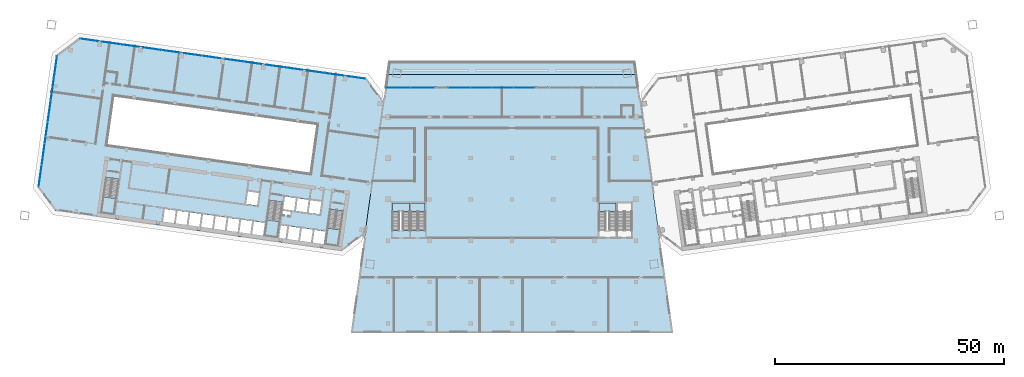
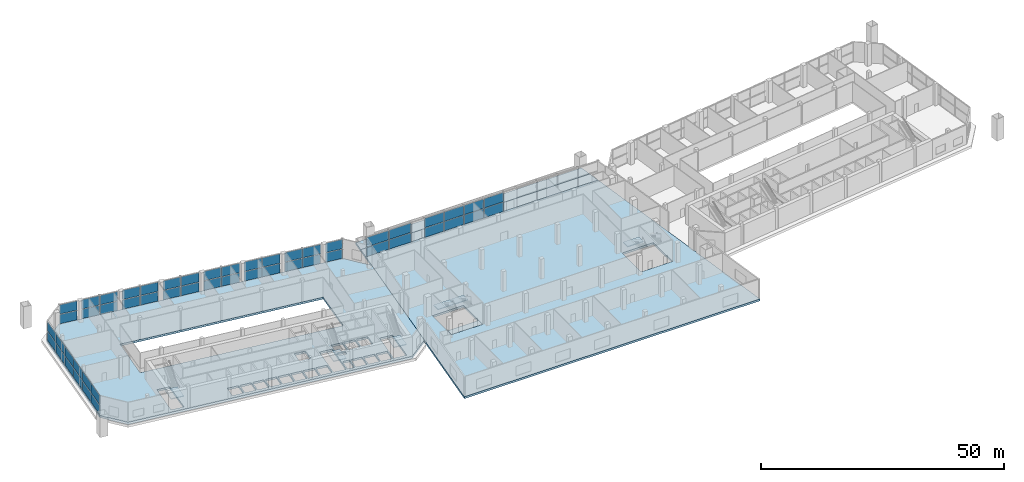
# One storey, part 8 of 23: 52 plates, 11 slabs, 10 elements without a shape of their own.
"""IFC4 building model written with IfcOpenShell, lengths in metres."""

import ifcopenshell
import ifcopenshell.guid

model = None  # the IFC model being written
_history = None  # IfcOwnerHistory: only IFC2X3 demands one
_inside = {}  # id of a spatial element -> (the spatial element, [elements in it])
_under = {}  # id of a project, library or spatial element -> (it, [spatial elements below it])
_declared = {}  # id of a project -> (the project, [libraries it declares])
_typed = {}  # id of a type object -> (the type object, [elements of that type])
_made_of = {}  # id of a material, layer set ... -> (it, [elements and type objects made of it])


def new_model(schema):
    """Start an empty IFC model of exactly this schema.

    Asked for "IFC4X3", IfcOpenShell would pick the latest addendum, in which some entities
    have other attributes; the version numbers below select the first issue.
    IFC2X3 requires an IfcOwnerHistory on every rooted entity: one is made here for all.
    """
    global model, _history
    if schema == "IFC4X3":
        model = ifcopenshell.file(schema_version=(4, 3, 0, 0))
    else:
        model = ifcopenshell.file(schema=schema)
    _inside.clear()
    _under.clear()
    _declared.clear()
    _typed.clear()
    _made_of.clear()
    _history = None
    if model.schema == "IFC2X3":
        org = make("IfcOrganization", Name="unknown")
        user = make(
            "IfcPersonAndOrganization",
            ThePerson=make("IfcPerson", FamilyName="unknown"),
            TheOrganization=org,
        )
        app = make(
            "IfcApplication",
            ApplicationDeveloper=org,
            Version="unknown",
            ApplicationFullName="unknown",
            ApplicationIdentifier="unknown",
        )
        _history = make(
            "IfcOwnerHistory",
            OwningUser=user,
            OwningApplication=app,
            ChangeAction="ADDED",
            CreationDate=0,
        )
    return model


def make(cls, **values):
    """One entity of the class cls with the attributes given. An attribute that is None is left unset."""
    return model.create_entity(
        cls, **{name: value for name, value in values.items() if value is not None}
    )


def rooted(cls, **values):
    """An entity with a GlobalId (a new one), such as an element, a storey or a relation."""
    return make(cls, GlobalId=ifcopenshell.guid.new(), OwnerHistory=_history, **values)


def si_unit(unit_type, name, prefix=None):
    """IfcSIUnit, for example si_unit("LENGTHUNIT", "METRE", prefix="MILLI")."""
    return make("IfcSIUnit", UnitType=unit_type, Prefix=prefix, Name=name)


def assignment(units):
    """IfcUnitAssignment: the units of a project."""
    return None if units is None else make("IfcUnitAssignment", Units=units)


def point(xyz):
    """IfcCartesianPoint."""
    return None if xyz is None else make("IfcCartesianPoint", Coordinates=xyz)


def direction(xyz):
    """IfcDirection."""
    return None if xyz is None else make("IfcDirection", DirectionRatios=xyz)


def frame(location, z_axis=None, x_axis=None):
    """IfcAxis2Placement3D, a coordinate frame: its origin and axes. An axis left out is left unset."""
    return make(
        "IfcAxis2Placement3D",
        Location=point(location),
        Axis=direction(z_axis),
        RefDirection=direction(x_axis),
    )


def frame_2d(location, x_axis=None):
    """IfcAxis2Placement2D, a coordinate frame in the plane: its origin and x axis."""
    return make(
        "IfcAxis2Placement2D", Location=point(location), RefDirection=direction(x_axis)
    )


def origin():
    """The frame at (0, 0, 0) with its axes left unset."""
    return frame((0.0, 0.0, 0.0))


def origin_2d():
    """The frame at (0, 0) in the plane with its x axis left unset."""
    return frame_2d((0.0, 0.0))


def place(relative_to, where):
    """IfcLocalPlacement: puts the frame where relative to a parent placement (None: the world)."""
    return make(
        "IfcLocalPlacement", PlacementRelTo=relative_to, RelativePlacement=where
    )


def context(
    kind, dimensions, precision=None, world=None, true_north=None, identifier=None
):
    """IfcGeometricRepresentationContext, for example the 3D "Model" context."""
    return make(
        "IfcGeometricRepresentationContext",
        ContextIdentifier=identifier,
        ContextType=kind,
        CoordinateSpaceDimension=dimensions,
        Precision=precision,
        WorldCoordinateSystem=world,
        TrueNorth=true_north,
    )


def subcontext(parent, identifier, kind, view, scale=None):
    """IfcGeometricRepresentationSubContext, for example "Body" below "Model"."""
    return make(
        "IfcGeometricRepresentationSubContext",
        ContextIdentifier=identifier,
        ContextType=kind,
        ParentContext=parent,
        TargetScale=scale,
        TargetView=view,
    )


def project(units=None, contexts=None):
    """IfcProject with its units and contexts."""
    return rooted(
        "IfcProject",
        Name="project",
        RepresentationContexts=contexts,
        UnitsInContext=assignment(units),
    )


def spatial(cls, under=None, at=None, **own):
    """A site, building, storey or space (cls), placed at a placement, below another one or the project."""
    s = rooted(cls, ObjectPlacement=at, **own)
    if under is not None:
        _under.setdefault(under.id(), (under, []))[1].append(s)
    return s


def polyline(points):
    """IfcPolyline through the points."""
    return make("IfcPolyline", Points=[point(p) for p in points])


def profile(cls, at=None, kind="AREA", **sizes):
    """A parametric profile (cls). Its sizes go by their IFC names, for example OverallWidth=200.0."""
    return make(cls, ProfileType=kind, Position=at, **sizes)


def rectangle(**sizes):
    """IfcRectangleProfileDef."""
    return profile("IfcRectangleProfileDef", **sizes)


def outline(outer, holes=None, kind="AREA"):
    """IfcArbitraryClosedProfileDef: a profile drawn as a closed curve; with holes, ...WithVoids."""
    if holes is None:
        return make("IfcArbitraryClosedProfileDef", ProfileType=kind, OuterCurve=outer)
    return make(
        "IfcArbitraryProfileDefWithVoids",
        ProfileType=kind,
        OuterCurve=outer,
        InnerCurves=holes,
    )


def extrude(swept, where, along, depth):
    """IfcExtrudedAreaSolid: the profile swept, set in the frame where, extruded along a direction by depth."""
    return make(
        "IfcExtrudedAreaSolid",
        SweptArea=swept,
        Position=where,
        ExtrudedDirection=direction(along),
        Depth=depth,
    )


def shape(context_of_items, identifier, shape_type, items):
    """IfcShapeRepresentation: the items that make up one representation, for example the "Body"."""
    return make(
        "IfcShapeRepresentation",
        ContextOfItems=context_of_items,
        RepresentationIdentifier=identifier,
        RepresentationType=shape_type,
        Items=items,
    )


def material(Name=None, Category=None):
    """IfcMaterial."""
    return make("IfcMaterial", Name=Name, Category=Category)


def layer(
    of_material, thickness, ventilated=None, Name=None, Category=None, Priority=None
):
    """IfcMaterialLayer: one layer of a wall or slab, of a material (None: an air gap)."""
    return make(
        "IfcMaterialLayer",
        Material=of_material,
        LayerThickness=thickness,
        IsVentilated=ventilated,
        Name=Name,
        Category=Category,
        Priority=Priority,
    )


def layer_set(layers, Name=None):
    """IfcMaterialLayerSet."""
    return make("IfcMaterialLayerSet", MaterialLayers=layers, LayerSetName=Name)


def made_of(thing, what):
    """Note that an element or type object is made of a material, layer set ...; save() writes the relation."""
    if what is not None:
        _made_of.setdefault(what.id(), (what, []))[1].append(thing)
    return thing


def type_object(cls, material=None, **own):
    """A type object (cls), such as IfcWallType, which elements share."""
    return made_of(rooted(cls, **own), material)


def element(
    cls,
    number,
    at=None,
    inside=None,
    cuts=None,
    type_object=None,
    material=None,
    context=None,
    identifier="Body",
    shape_type=None,
    held_by="IfcProductDefinitionShape",
    body=None,
    shapes=None,
    **own,
):
    """One element of the class cls, such as IfcWall. Its Tag is "e" and its number.

    at: its placement. inside: the storey or other place that contains it. cuts: it is an
    opening in that element (IfcRelVoidsElement). A single representation is given by context,
    identifier, shape_type and body (its items); several are given by shapes. held_by: the class
    of the entity that holds the representations. save() writes the other relations.
    """
    e = rooted(cls, Tag="e%d" % number, ObjectPlacement=at, **own)
    if body is not None:
        shapes = [shape(context, identifier, shape_type, body)]
    if shapes is not None:
        e.Representation = make(held_by, Representations=shapes)
    if inside is not None:
        _inside.setdefault(inside.id(), (inside, []))[1].append(e)
    if cuts is not None:
        rooted(
            "IfcRelVoidsElement", RelatingBuildingElement=cuts, RelatedOpeningElement=e
        )
    if type_object is not None:
        _typed.setdefault(type_object.id(), (type_object, []))[1].append(e)
    return made_of(e, material)


def aggregate(whole, parts):
    """IfcRelAggregates: a whole, such as a stair, and the parts it consists of."""
    return rooted("IfcRelAggregates", RelatingObject=whole, RelatedObjects=parts)


def save(model, path):
    """Write the relations noted so far, then the file.

    IfcRelAggregates (storeys below a building ...), IfcRelContainedInSpatialStructure (elements
    in a storey), IfcRelDefinesByType, IfcRelAssociatesMaterial and IfcRelDeclares: one each for
    every whole, place, type object, material and project.
    """
    for whole, parts in _under.values():
        aggregate(whole, parts)
    for where, things in _inside.values():
        rooted(
            "IfcRelContainedInSpatialStructure",
            RelatedElements=things,
            RelatingStructure=where,
        )
    for kind, things in _typed.values():
        rooted("IfcRelDefinesByType", RelatedObjects=things, RelatingType=kind)
    for what, things in _made_of.values():
        rooted("IfcRelAssociatesMaterial", RelatedObjects=things, RelatingMaterial=what)
    for by, libraries in _declared.values():
        rooted("IfcRelDeclares", RelatingContext=by, RelatedDefinitions=libraries)
    model.write(path)


model = new_model("IFC4")

# Units and contexts
model_context = context("Model", 3, precision=1e-05, world=origin(), true_north=direction((0.0, 1.0)))
body_context = subcontext(model_context, "Body", "Model", "MODEL_VIEW")
ifc_project = project(units=[si_unit("LENGTHUNIT", "METRE"), si_unit("AREAUNIT", "SQUARE_METRE"), si_unit("VOLUMEUNIT", "CUBIC_METRE"), si_unit("PLANEANGLEUNIT", "RADIAN"), si_unit("MASSUNIT", "GRAM", prefix="KILO")], contexts=[model_context])

# Site, building, storey
site_placement = place(None, origin())
site = spatial("IfcSite", under=ifc_project, at=site_placement, CompositionType="ELEMENT")
building_placement = place(site_placement, origin())
building = spatial("IfcBuilding", under=site, at=building_placement, Name="Mirante Cascada Hotel Towers", CompositionType="ELEMENT")
storey_placement = place(building_placement, frame((0.0, 0.0, 23.5)))
storey = spatial("IfcBuildingStorey", under=building, at=storey_placement, Name="L03", CompositionType="ELEMENT", Elevation=23.5)

# Curtain wall, plates
ifc_material_1 = material(Name="Aluminium mullion and transom frame with clear laminated glass", Category="aluminium")
curtain_wall_type = type_object("IfcCurtainWallType", Name="Podium curtain wall ECW3", PredefinedType="NOTDEFINED", material=ifc_material_1)
curtain_wall_1_placement = place(storey_placement, origin())
curtain_wall_1 = element("IfcCurtainWall", 1, at=curtain_wall_1_placement, inside=storey, type_object=curtain_wall_type, Name="Front podium glazing T1 L03", PredefinedType="NOTDEFINED")
ifc_material_2 = material(Name="Clear laminated glass", Category="glass")
ifc_layer_1 = layer(ifc_material_2, 0.04)
ifc_layer_set_1 = layer_set([ifc_layer_1], Name="ECW3 glass panel 40")
plate_type = type_object("IfcPlateType", Name="ECW3 glass panel 40", PredefinedType="CURTAIN_PANEL", material=ifc_layer_set_1)
plate_1_placement = place(storey_placement, frame((-92.1787, 25.7739, 0.12), z_axis=(0.0, 0.0, 1.0), x_axis=(0.9902681, -0.1391731, 0.0)))
plate_1 = element("IfcPlate", 2, at=plate_1_placement, type_object=plate_type, Name="ECW3 panel 1", PredefinedType="CURTAIN_PANEL", context=body_context, shape_type="SweptSolid", body=[
    extrude(rectangle(XDim=3.8379, YDim=0.04, at=origin_2d()), origin(), (0.0, 0.0, 1.0), 2.32),
])
plate_2_placement = place(storey_placement, frame((-92.1787, 25.7739, 2.56), z_axis=(0.0, 0.0, 1.0), x_axis=(0.9902681, -0.1391731, 0.0)))
plate_2 = element("IfcPlate", 3, at=plate_2_placement, type_object=plate_type, Name="ECW3 panel 1", PredefinedType="CURTAIN_PANEL", context=body_context, shape_type="SweptSolid", body=[
    extrude(rectangle(XDim=3.8379, YDim=0.04, at=origin_2d()), origin(), (0.0, 0.0, 1.0), 2.32),
])
plate_3_placement = place(storey_placement, frame((-87.2757, 25.0848, 0.12), z_axis=(0.0, 0.0, 1.0), x_axis=(0.9902681, -0.1391731, 0.0)))
plate_3 = element("IfcPlate", 4, at=plate_3_placement, type_object=plate_type, Name="ECW3 panel 2", PredefinedType="CURTAIN_PANEL", context=body_context, shape_type="SweptSolid", body=[
    extrude(rectangle(XDim=3.9844, YDim=0.04, at=origin_2d()), origin(), (0.0, 0.0, 1.0), 2.32),
])
plate_4_placement = place(storey_placement, frame((-87.2757, 25.0848, 2.56), z_axis=(0.0, 0.0, 1.0), x_axis=(0.9902681, -0.1391731, 0.0)))
plate_4 = element("IfcPlate", 5, at=plate_4_placement, type_object=plate_type, Name="ECW3 panel 2", PredefinedType="CURTAIN_PANEL", context=body_context, shape_type="SweptSolid", body=[
    extrude(rectangle(XDim=3.9844, YDim=0.04, at=origin_2d()), origin(), (0.0, 0.0, 1.0), 2.32),
])
plate_5_placement = place(storey_placement, frame((-83.2949, 24.5254, 0.12), z_axis=(0.0, 0.0, 1.0), x_axis=(0.9902681, -0.1391731, 0.0)))
plate_5 = element("IfcPlate", 6, at=plate_5_placement, type_object=plate_type, Name="ECW3 panel 3", PredefinedType="CURTAIN_PANEL", context=body_context, shape_type="SweptSolid", body=[
    extrude(rectangle(XDim=3.8956, YDim=0.04, at=origin_2d()), origin(), (0.0, 0.0, 1.0), 2.32),
])
plate_6_placement = place(storey_placement, frame((-83.2949, 24.5254, 2.56), z_axis=(0.0, 0.0, 1.0), x_axis=(0.9902681, -0.1391731, 0.0)))
plate_6 = element("IfcPlate", 7, at=plate_6_placement, type_object=plate_type, Name="ECW3 panel 3", PredefinedType="CURTAIN_PANEL", context=body_context, shape_type="SweptSolid", body=[
    extrude(rectangle(XDim=3.8956, YDim=0.04, at=origin_2d()), origin(), (0.0, 0.0, 1.0), 2.32),
])
plate_7_placement = place(storey_placement, frame((-78.3721, 23.8335, 0.12), z_axis=(0.0, 0.0, 1.0), x_axis=(0.9902681, -0.1391731, 0.0)))
plate_7 = element("IfcPlate", 8, at=plate_7_placement, type_object=plate_type, Name="ECW3 panel 4", PredefinedType="CURTAIN_PANEL", context=body_context, shape_type="SweptSolid", body=[
    extrude(rectangle(XDim=3.9666, YDim=0.04, at=origin_2d()), origin(), (0.0, 0.0, 1.0), 2.32),
])
plate_8_placement = place(storey_placement, frame((-78.3721, 23.8335, 2.56), z_axis=(0.0, 0.0, 1.0), x_axis=(0.9902681, -0.1391731, 0.0)))
plate_8 = element("IfcPlate", 9, at=plate_8_placement, type_object=plate_type, Name="ECW3 panel 4", PredefinedType="CURTAIN_PANEL", context=body_context, shape_type="SweptSolid", body=[
    extrude(rectangle(XDim=3.9666, YDim=0.04, at=origin_2d()), origin(), (0.0, 0.0, 1.0), 2.32),
])
plate_9_placement = place(storey_placement, frame((-74.3912, 23.274, 0.12), z_axis=(0.0, 0.0, 1.0), x_axis=(0.9902681, -0.1391731, 0.0)))
plate_9 = element("IfcPlate", 10, at=plate_9_placement, type_object=plate_type, Name="ECW3 panel 5", PredefinedType="CURTAIN_PANEL", context=body_context, shape_type="SweptSolid", body=[
    extrude(rectangle(XDim=3.9134, YDim=0.04, at=origin_2d()), origin(), (0.0, 0.0, 1.0), 2.32),
])
plate_10_placement = place(storey_placement, frame((-74.3912, 23.274, 2.56), z_axis=(0.0, 0.0, 1.0), x_axis=(0.9902681, -0.1391731, 0.0)))
plate_10 = element("IfcPlate", 11, at=plate_10_placement, type_object=plate_type, Name="ECW3 panel 5", PredefinedType="CURTAIN_PANEL", context=body_context, shape_type="SweptSolid", body=[
    extrude(rectangle(XDim=3.9134, YDim=0.04, at=origin_2d()), origin(), (0.0, 0.0, 1.0), 2.32),
])
plate_11_placement = place(storey_placement, frame((-69.4685, 22.5822, 0.12), z_axis=(0.0, 0.0, 1.0), x_axis=(0.9902681, -0.1391731, 0.0)))
plate_11 = element("IfcPlate", 12, at=plate_11_placement, type_object=plate_type, Name="ECW3 panel 6", PredefinedType="CURTAIN_PANEL", context=body_context, shape_type="SweptSolid", body=[
    extrude(rectangle(XDim=3.9489, YDim=0.04, at=origin_2d()), origin(), (0.0, 0.0, 1.0), 2.32),
])
plate_12_placement = place(storey_placement, frame((-69.4685, 22.5822, 2.56), z_axis=(0.0, 0.0, 1.0), x_axis=(0.9902681, -0.1391731, 0.0)))
plate_12 = element("IfcPlate", 13, at=plate_12_placement, type_object=plate_type, Name="ECW3 panel 6", PredefinedType="CURTAIN_PANEL", context=body_context, shape_type="SweptSolid", body=[
    extrude(rectangle(XDim=3.9489, YDim=0.04, at=origin_2d()), origin(), (0.0, 0.0, 1.0), 2.32),
])
plate_13_placement = place(storey_placement, frame((-65.4876, 22.0227, 0.12), z_axis=(0.0, 0.0, 1.0), x_axis=(0.9902681, -0.1391731, 0.0)))
plate_13 = element("IfcPlate", 14, at=plate_13_placement, type_object=plate_type, Name="ECW3 panel 7", PredefinedType="CURTAIN_PANEL", context=body_context, shape_type="SweptSolid", body=[
    extrude(rectangle(XDim=3.9311, YDim=0.04, at=origin_2d()), origin(), (0.0, 0.0, 1.0), 2.32),
])
plate_14_placement = place(storey_placement, frame((-65.4876, 22.0227, 2.56), z_axis=(0.0, 0.0, 1.0), x_axis=(0.9902681, -0.1391731, 0.0)))
plate_14 = element("IfcPlate", 15, at=plate_14_placement, type_object=plate_type, Name="ECW3 panel 7", PredefinedType="CURTAIN_PANEL", context=body_context, shape_type="SweptSolid", body=[
    extrude(rectangle(XDim=3.9311, YDim=0.04, at=origin_2d()), origin(), (0.0, 0.0, 1.0), 2.32),
])
plate_15_placement = place(storey_placement, frame((-60.5649, 21.3309, 0.12), z_axis=(0.0, 0.0, 1.0), x_axis=(0.9902681, -0.1391731, 0.0)))
plate_15 = element("IfcPlate", 16, at=plate_15_placement, type_object=plate_type, Name="ECW3 panel 8", PredefinedType="CURTAIN_PANEL", context=body_context, shape_type="SweptSolid", body=[
    extrude(rectangle(XDim=3.9311, YDim=0.04, at=origin_2d()), origin(), (0.0, 0.0, 1.0), 2.32),
])
plate_16_placement = place(storey_placement, frame((-60.5649, 21.3309, 2.56), z_axis=(0.0, 0.0, 1.0), x_axis=(0.9902681, -0.1391731, 0.0)))
plate_16 = element("IfcPlate", 17, at=plate_16_placement, type_object=plate_type, Name="ECW3 panel 8", PredefinedType="CURTAIN_PANEL", context=body_context, shape_type="SweptSolid", body=[
    extrude(rectangle(XDim=3.9311, YDim=0.04, at=origin_2d()), origin(), (0.0, 0.0, 1.0), 2.32),
])
plate_17_placement = place(storey_placement, frame((-56.584, 20.7714, 0.12), z_axis=(0.0, 0.0, 1.0), x_axis=(0.9902681, -0.1391731, 0.0)))
plate_17 = element("IfcPlate", 18, at=plate_17_placement, type_object=plate_type, Name="ECW3 panel 9", PredefinedType="CURTAIN_PANEL", context=body_context, shape_type="SweptSolid", body=[
    extrude(rectangle(XDim=3.9489, YDim=0.04, at=origin_2d()), origin(), (0.0, 0.0, 1.0), 2.32),
])
plate_18_placement = place(storey_placement, frame((-56.584, 20.7714, 2.56), z_axis=(0.0, 0.0, 1.0), x_axis=(0.9902681, -0.1391731, 0.0)))
plate_18 = element("IfcPlate", 19, at=plate_18_placement, type_object=plate_type, Name="ECW3 panel 9", PredefinedType="CURTAIN_PANEL", context=body_context, shape_type="SweptSolid", body=[
    extrude(rectangle(XDim=3.9489, YDim=0.04, at=origin_2d()), origin(), (0.0, 0.0, 1.0), 2.32),
])
plate_19_placement = place(storey_placement, frame((-51.6612, 20.0795, 0.12), z_axis=(0.0, 0.0, 1.0), x_axis=(0.9902681, -0.1391731, 0.0)))
plate_19 = element("IfcPlate", 20, at=plate_19_placement, type_object=plate_type, Name="ECW3 panel 10", PredefinedType="CURTAIN_PANEL", context=body_context, shape_type="SweptSolid", body=[
    extrude(rectangle(XDim=3.9134, YDim=0.04, at=origin_2d()), origin(), (0.0, 0.0, 1.0), 2.32),
])
plate_20_placement = place(storey_placement, frame((-51.6612, 20.0795, 2.56), z_axis=(0.0, 0.0, 1.0), x_axis=(0.9902681, -0.1391731, 0.0)))
plate_20 = element("IfcPlate", 21, at=plate_20_placement, type_object=plate_type, Name="ECW3 panel 10", PredefinedType="CURTAIN_PANEL", context=body_context, shape_type="SweptSolid", body=[
    extrude(rectangle(XDim=3.9134, YDim=0.04, at=origin_2d()), origin(), (0.0, 0.0, 1.0), 2.32),
])
plate_21_placement = place(storey_placement, frame((-47.6804, 19.5201, 0.12), z_axis=(0.0, 0.0, 1.0), x_axis=(0.9902681, -0.1391731, 0.0)))
plate_21 = element("IfcPlate", 22, at=plate_21_placement, type_object=plate_type, Name="ECW3 panel 11", PredefinedType="CURTAIN_PANEL", context=body_context, shape_type="SweptSolid", body=[
    extrude(rectangle(XDim=3.9666, YDim=0.04, at=origin_2d()), origin(), (0.0, 0.0, 1.0), 2.32),
])
plate_22_placement = place(storey_placement, frame((-47.6804, 19.5201, 2.56), z_axis=(0.0, 0.0, 1.0), x_axis=(0.9902681, -0.1391731, 0.0)))
plate_22 = element("IfcPlate", 23, at=plate_22_placement, type_object=plate_type, Name="ECW3 panel 11", PredefinedType="CURTAIN_PANEL", context=body_context, shape_type="SweptSolid", body=[
    extrude(rectangle(XDim=3.9666, YDim=0.04, at=origin_2d()), origin(), (0.0, 0.0, 1.0), 2.32),
])
plate_23_placement = place(storey_placement, frame((-42.7576, 18.8282, 0.12), z_axis=(0.0, 0.0, 1.0), x_axis=(0.9902681, -0.1391731, 0.0)))
plate_23 = element("IfcPlate", 24, at=plate_23_placement, type_object=plate_type, Name="ECW3 panel 12", PredefinedType="CURTAIN_PANEL", context=body_context, shape_type="SweptSolid", body=[
    extrude(rectangle(XDim=3.8956, YDim=0.04, at=origin_2d()), origin(), (0.0, 0.0, 1.0), 2.32),
])
plate_24_placement = place(storey_placement, frame((-42.7576, 18.8282, 2.56), z_axis=(0.0, 0.0, 1.0), x_axis=(0.9902681, -0.1391731, 0.0)))
plate_24 = element("IfcPlate", 25, at=plate_24_placement, type_object=plate_type, Name="ECW3 panel 12", PredefinedType="CURTAIN_PANEL", context=body_context, shape_type="SweptSolid", body=[
    extrude(rectangle(XDim=3.8956, YDim=0.04, at=origin_2d()), origin(), (0.0, 0.0, 1.0), 2.32),
])
plate_25_placement = place(storey_placement, frame((-38.7767, 18.2687, 0.12), z_axis=(0.0, 0.0, 1.0), x_axis=(0.9902681, -0.1391731, 0.0)))
plate_25 = element("IfcPlate", 26, at=plate_25_placement, type_object=plate_type, Name="ECW3 panel 13", PredefinedType="CURTAIN_PANEL", context=body_context, shape_type="SweptSolid", body=[
    extrude(rectangle(XDim=3.9844, YDim=0.04, at=origin_2d()), origin(), (0.0, 0.0, 1.0), 2.32),
])
plate_26_placement = place(storey_placement, frame((-38.7767, 18.2687, 2.56), z_axis=(0.0, 0.0, 1.0), x_axis=(0.9902681, -0.1391731, 0.0)))
plate_26 = element("IfcPlate", 27, at=plate_26_placement, type_object=plate_type, Name="ECW3 panel 13", PredefinedType="CURTAIN_PANEL", context=body_context, shape_type="SweptSolid", body=[
    extrude(rectangle(XDim=3.9844, YDim=0.04, at=origin_2d()), origin(), (0.0, 0.0, 1.0), 2.32),
])
plate_27_placement = place(storey_placement, frame((-33.8738, 17.5797, 0.12), z_axis=(0.0, 0.0, 1.0), x_axis=(0.9902681, -0.1391731, 0.0)))
plate_27 = element("IfcPlate", 28, at=plate_27_placement, type_object=plate_type, Name="ECW3 panel 14", PredefinedType="CURTAIN_PANEL", context=body_context, shape_type="SweptSolid", body=[
    extrude(rectangle(XDim=3.8379, YDim=0.04, at=origin_2d()), origin(), (0.0, 0.0, 1.0), 2.32),
])
plate_28_placement = place(storey_placement, frame((-33.8738, 17.5797, 2.56), z_axis=(0.0, 0.0, 1.0), x_axis=(0.9902681, -0.1391731, 0.0)))
plate_28 = element("IfcPlate", 29, at=plate_28_placement, type_object=plate_type, Name="ECW3 panel 14", PredefinedType="CURTAIN_PANEL", context=body_context, shape_type="SweptSolid", body=[
    extrude(rectangle(XDim=3.8379, YDim=0.04, at=origin_2d()), origin(), (0.0, 0.0, 1.0), 2.32),
])
aggregate(curtain_wall_1, [plate_1, plate_2, plate_3, plate_4, plate_5, plate_6, plate_7, plate_8, plate_9, plate_10, plate_11, plate_12, plate_13, plate_14, plate_15, plate_16, plate_17, plate_18, plate_19, plate_20, plate_21, plate_22, plate_23, plate_24, plate_25, plate_26, plate_27, plate_28])

curtain_wall_2_placement = place(storey_placement, origin())
curtain_wall_2 = element("IfcCurtainWall", 30, at=curtain_wall_2_placement, inside=storey, type_object=curtain_wall_type, Name="Outer end podium glazing T1 L03", PredefinedType="NOTDEFINED")
plate_29_placement = place(storey_placement, frame((-102.8224, -3.8951, 0.12), z_axis=(0.0, 0.0, 1.0), x_axis=(0.1391731, 0.9902681, 0.0)))
plate_29 = element("IfcPlate", 31, at=plate_29_placement, type_object=plate_type, Name="ECW3 panel 1", PredefinedType="CURTAIN_PANEL", context=body_context, shape_type="SweptSolid", body=[
    extrude(rectangle(XDim=4.6926, YDim=0.04, at=origin_2d()), origin(), (0.0, 0.0, 1.0), 2.32),
])
plate_30_placement = place(storey_placement, frame((-102.8224, -3.8951, 2.56), z_axis=(0.0, 0.0, 1.0), x_axis=(0.1391731, 0.9902681, 0.0)))
plate_30 = element("IfcPlate", 32, at=plate_30_placement, type_object=plate_type, Name="ECW3 panel 1", PredefinedType="CURTAIN_PANEL", context=body_context, shape_type="SweptSolid", body=[
    extrude(rectangle(XDim=4.6926, YDim=0.04, at=origin_2d()), origin(), (0.0, 0.0, 1.0), 2.32),
])
plate_31_placement = place(storey_placement, frame((-102.1554, 0.8509, 0.12), z_axis=(0.0, 0.0, 1.0), x_axis=(0.1391731, 0.9902681, 0.0)))
plate_31 = element("IfcPlate", 33, at=plate_31_placement, type_object=plate_type, Name="ECW3 panel 2", PredefinedType="CURTAIN_PANEL", context=body_context, shape_type="SweptSolid", body=[
    extrude(rectangle(XDim=4.7326, YDim=0.04, at=origin_2d()), origin(), (0.0, 0.0, 1.0), 2.32),
])
plate_32_placement = place(storey_placement, frame((-102.1554, 0.8509, 2.56), z_axis=(0.0, 0.0, 1.0), x_axis=(0.1391731, 0.9902681, 0.0)))
plate_32 = element("IfcPlate", 34, at=plate_32_placement, type_object=plate_type, Name="ECW3 panel 2", PredefinedType="CURTAIN_PANEL", context=body_context, shape_type="SweptSolid", body=[
    extrude(rectangle(XDim=4.7326, YDim=0.04, at=origin_2d()), origin(), (0.0, 0.0, 1.0), 2.32),
])
plate_33_placement = place(storey_placement, frame((-101.4857, 5.6167, 0.12), z_axis=(0.0, 0.0, 1.0), x_axis=(0.1391731, 0.9902681, 0.0)))
plate_33 = element("IfcPlate", 35, at=plate_33_placement, type_object=plate_type, Name="ECW3 panel 3", PredefinedType="CURTAIN_PANEL", context=body_context, shape_type="SweptSolid", body=[
    extrude(rectangle(XDim=4.7326, YDim=0.04, at=origin_2d()), origin(), (0.0, 0.0, 1.0), 2.32),
])
plate_34_placement = place(storey_placement, frame((-101.4857, 5.6167, 2.56), z_axis=(0.0, 0.0, 1.0), x_axis=(0.1391731, 0.9902681, 0.0)))
plate_34 = element("IfcPlate", 36, at=plate_34_placement, type_object=plate_type, Name="ECW3 panel 3", PredefinedType="CURTAIN_PANEL", context=body_context, shape_type="SweptSolid", body=[
    extrude(rectangle(XDim=4.7326, YDim=0.04, at=origin_2d()), origin(), (0.0, 0.0, 1.0), 2.32),
])
plate_35_placement = place(storey_placement, frame((-100.8159, 10.3825, 0.12), z_axis=(0.0, 0.0, 1.0), x_axis=(0.1391731, 0.9902681, 0.0)))
plate_35 = element("IfcPlate", 37, at=plate_35_placement, type_object=plate_type, Name="ECW3 panel 4", PredefinedType="CURTAIN_PANEL", context=body_context, shape_type="SweptSolid", body=[
    extrude(rectangle(XDim=4.7326, YDim=0.04, at=origin_2d()), origin(), (0.0, 0.0, 1.0), 2.32),
])
plate_36_placement = place(storey_placement, frame((-100.8159, 10.3825, 2.56), z_axis=(0.0, 0.0, 1.0), x_axis=(0.1391731, 0.9902681, 0.0)))
plate_36 = element("IfcPlate", 38, at=plate_36_placement, type_object=plate_type, Name="ECW3 panel 4", PredefinedType="CURTAIN_PANEL", context=body_context, shape_type="SweptSolid", body=[
    extrude(rectangle(XDim=4.7326, YDim=0.04, at=origin_2d()), origin(), (0.0, 0.0, 1.0), 2.32),
])
plate_37_placement = place(storey_placement, frame((-100.1461, 15.1483, 0.12), z_axis=(0.0, 0.0, 1.0), x_axis=(0.1391731, 0.9902681, 0.0)))
plate_37 = element("IfcPlate", 39, at=plate_37_placement, type_object=plate_type, Name="ECW3 panel 5", PredefinedType="CURTAIN_PANEL", context=body_context, shape_type="SweptSolid", body=[
    extrude(rectangle(XDim=4.7326, YDim=0.04, at=origin_2d()), origin(), (0.0, 0.0, 1.0), 2.32),
])
plate_38_placement = place(storey_placement, frame((-100.1461, 15.1483, 2.56), z_axis=(0.0, 0.0, 1.0), x_axis=(0.1391731, 0.9902681, 0.0)))
plate_38 = element("IfcPlate", 40, at=plate_38_placement, type_object=plate_type, Name="ECW3 panel 5", PredefinedType="CURTAIN_PANEL", context=body_context, shape_type="SweptSolid", body=[
    extrude(rectangle(XDim=4.7326, YDim=0.04, at=origin_2d()), origin(), (0.0, 0.0, 1.0), 2.32),
])
plate_39_placement = place(storey_placement, frame((-99.4791, 19.8942, 0.12), z_axis=(0.0, 0.0, 1.0), x_axis=(0.1391731, 0.9902681, 0.0)))
plate_39 = element("IfcPlate", 41, at=plate_39_placement, type_object=plate_type, Name="ECW3 panel 6", PredefinedType="CURTAIN_PANEL", context=body_context, shape_type="SweptSolid", body=[
    extrude(rectangle(XDim=4.6926, YDim=0.04, at=origin_2d()), origin(), (0.0, 0.0, 1.0), 2.32),
])
plate_40_placement = place(storey_placement, frame((-99.4791, 19.8942, 2.56), z_axis=(0.0, 0.0, 1.0), x_axis=(0.1391731, 0.9902681, 0.0)))
plate_40 = element("IfcPlate", 42, at=plate_40_placement, type_object=plate_type, Name="ECW3 panel 6", PredefinedType="CURTAIN_PANEL", context=body_context, shape_type="SweptSolid", body=[
    extrude(rectangle(XDim=4.6926, YDim=0.04, at=origin_2d()), origin(), (0.0, 0.0, 1.0), 2.32),
])
aggregate(curtain_wall_2, [plate_29, plate_30, plate_31, plate_32, plate_33, plate_34, plate_35, plate_36, plate_37, plate_38, plate_39, plate_40])

curtain_wall_3_placement = place(storey_placement, origin())
curtain_wall_3 = element("IfcCurtainWall", 43, at=curtain_wall_3_placement, inside=storey, type_object=curtain_wall_type, Name="Podium curtain wall L03 run 3.3", PredefinedType="NOTDEFINED")
plate_41_placement = place(storey_placement, frame((2.6876, 15.35, 0.12), z_axis=(0.0, 0.0, 1.0), x_axis=(-1.0, 0.0, 0.0)))
plate_41 = element("IfcPlate", 44, at=plate_41_placement, type_object=plate_type, Name="ECW3 panel 1", PredefinedType="CURTAIN_PANEL", context=body_context, shape_type="SweptSolid", body=[
    extrude(rectangle(XDim=4.6048, YDim=0.04, at=origin_2d()), origin(), (0.0, 0.0, 1.0), 2.32),
])
plate_42_placement = place(storey_placement, frame((2.6876, 15.35, 2.56), z_axis=(0.0, 0.0, 1.0), x_axis=(-1.0, 0.0, 0.0)))
plate_42 = element("IfcPlate", 45, at=plate_42_placement, type_object=plate_type, Name="ECW3 panel 1", PredefinedType="CURTAIN_PANEL", context=body_context, shape_type="SweptSolid", body=[
    extrude(rectangle(XDim=4.6048, YDim=0.04, at=origin_2d()), origin(), (0.0, 0.0, 1.0), 2.32),
])
plate_43_placement = place(storey_placement, frame((-2.0171, 15.35, 0.12), z_axis=(0.0, 0.0, 1.0), x_axis=(-1.0, 0.0, 0.0)))
plate_43 = element("IfcPlate", 46, at=plate_43_placement, type_object=plate_type, Name="ECW3 panel 2", PredefinedType="CURTAIN_PANEL", context=body_context, shape_type="SweptSolid", body=[
    extrude(rectangle(XDim=4.6448, YDim=0.04, at=origin_2d()), origin(), (0.0, 0.0, 1.0), 2.32),
])
plate_44_placement = place(storey_placement, frame((-2.0171, 15.35, 2.56), z_axis=(0.0, 0.0, 1.0), x_axis=(-1.0, 0.0, 0.0)))
plate_44 = element("IfcPlate", 47, at=plate_44_placement, type_object=plate_type, Name="ECW3 panel 2", PredefinedType="CURTAIN_PANEL", context=body_context, shape_type="SweptSolid", body=[
    extrude(rectangle(XDim=4.6448, YDim=0.04, at=origin_2d()), origin(), (0.0, 0.0, 1.0), 2.32),
])
plate_45_placement = place(storey_placement, frame((-6.7419, 15.35, 0.12), z_axis=(0.0, 0.0, 1.0), x_axis=(-1.0, 0.0, 0.0)))
plate_45 = element("IfcPlate", 48, at=plate_45_placement, type_object=plate_type, Name="ECW3 panel 3", PredefinedType="CURTAIN_PANEL", context=body_context, shape_type="SweptSolid", body=[
    extrude(rectangle(XDim=4.6448, YDim=0.04, at=origin_2d()), origin(), (0.0, 0.0, 1.0), 2.32),
])
plate_46_placement = place(storey_placement, frame((-6.7419, 15.35, 2.56), z_axis=(0.0, 0.0, 1.0), x_axis=(-1.0, 0.0, 0.0)))
plate_46 = element("IfcPlate", 49, at=plate_46_placement, type_object=plate_type, Name="ECW3 panel 3", PredefinedType="CURTAIN_PANEL", context=body_context, shape_type="SweptSolid", body=[
    extrude(rectangle(XDim=4.6448, YDim=0.04, at=origin_2d()), origin(), (0.0, 0.0, 1.0), 2.32),
])
plate_47_placement = place(storey_placement, frame((-11.4466, 15.35, 0.12), z_axis=(0.0, 0.0, 1.0), x_axis=(-1.0, 0.0, 0.0)))
plate_47 = element("IfcPlate", 50, at=plate_47_placement, type_object=plate_type, Name="ECW3 panel 4", PredefinedType="CURTAIN_PANEL", context=body_context, shape_type="SweptSolid", body=[
    extrude(rectangle(XDim=4.6048, YDim=0.04, at=origin_2d()), origin(), (0.0, 0.0, 1.0), 2.32),
])
plate_48_placement = place(storey_placement, frame((-11.4466, 15.35, 2.56), z_axis=(0.0, 0.0, 1.0), x_axis=(-1.0, 0.0, 0.0)))
plate_48 = element("IfcPlate", 51, at=plate_48_placement, type_object=plate_type, Name="ECW3 panel 4", PredefinedType="CURTAIN_PANEL", context=body_context, shape_type="SweptSolid", body=[
    extrude(rectangle(XDim=4.6048, YDim=0.04, at=origin_2d()), origin(), (0.0, 0.0, 1.0), 2.32),
])
aggregate(curtain_wall_3, [plate_41, plate_42, plate_43, plate_44, plate_45, plate_46, plate_47, plate_48])

curtain_wall_4_placement = place(storey_placement, origin())
curtain_wall_4 = element("IfcCurtainWall", 52, at=curtain_wall_4_placement, inside=storey, type_object=curtain_wall_type, Name="Podium curtain wall L03 run 3.5", PredefinedType="NOTDEFINED")
plate_49_placement = place(storey_placement, frame((-19.5269, 15.35, 0.12), z_axis=(0.0, 0.0, 1.0), x_axis=(-1.0, 0.0, 0.0)))
plate_49 = element("IfcPlate", 53, at=plate_49_placement, type_object=plate_type, Name="ECW3 panel 1", PredefinedType="CURTAIN_PANEL", context=body_context, shape_type="SweptSolid", body=[
    extrude(rectangle(XDim=5.2358, YDim=0.04, at=origin_2d()), origin(), (0.0, 0.0, 1.0), 2.32),
])
plate_50_placement = place(storey_placement, frame((-19.5269, 15.35, 2.56), z_axis=(0.0, 0.0, 1.0), x_axis=(-1.0, 0.0, 0.0)))
plate_50 = element("IfcPlate", 54, at=plate_50_placement, type_object=plate_type, Name="ECW3 panel 1", PredefinedType="CURTAIN_PANEL", context=body_context, shape_type="SweptSolid", body=[
    extrude(rectangle(XDim=5.2358, YDim=0.04, at=origin_2d()), origin(), (0.0, 0.0, 1.0), 2.32),
])
plate_51_placement = place(storey_placement, frame((-24.8427, 15.35, 0.12), z_axis=(0.0, 0.0, 1.0), x_axis=(-1.0, 0.0, 0.0)))
plate_51 = element("IfcPlate", 55, at=plate_51_placement, type_object=plate_type, Name="ECW3 panel 2", PredefinedType="CURTAIN_PANEL", context=body_context, shape_type="SweptSolid", body=[
    extrude(rectangle(XDim=5.2358, YDim=0.04, at=origin_2d()), origin(), (0.0, 0.0, 1.0), 2.32),
])
plate_52_placement = place(storey_placement, frame((-24.8427, 15.35, 2.56), z_axis=(0.0, 0.0, 1.0), x_axis=(-1.0, 0.0, 0.0)))
plate_52 = element("IfcPlate", 56, at=plate_52_placement, type_object=plate_type, Name="ECW3 panel 2", PredefinedType="CURTAIN_PANEL", context=body_context, shape_type="SweptSolid", body=[
    extrude(rectangle(XDim=5.2358, YDim=0.04, at=origin_2d()), origin(), (0.0, 0.0, 1.0), 2.32),
])
aggregate(curtain_wall_4, [plate_49, plate_50, plate_51, plate_52])

# Stair, slab
ifc_material_3 = material(Name="Concrete C35/45", Category="concrete")
stair_type_1 = type_object("IfcStairType", Name="Exit stair half-turn 1350 concrete C35/45", PredefinedType="HALF_TURN_STAIR", material=ifc_material_3)
stair_1_placement = place(storey_placement, origin())
stair_1 = element("IfcStair", 57, at=stair_1_placement, inside=storey, type_object=stair_type_1, Name="L03 Exit stair A", PredefinedType="HALF_TURN_STAIR")
ifc_material_4 = material(Name="Concrete C35/45", Category="concrete")
ifc_layer_2 = layer(ifc_material_4, 0.2)
ifc_layer_set_2 = layer_set([ifc_layer_2], Name="Exit stair landing 200 concrete C35/45")
slab_type_1 = type_object("IfcSlabType", Name="Exit stair landing 200 concrete C35/45", PredefinedType="LANDING", material=ifc_layer_set_2)
slab_1_placement = place(storey_placement, frame((0.0, 0.0, 2.55)))
slab_1 = element("IfcSlab", 58, at=slab_1_placement, type_object=slab_type_1, Name="ST1-A landing 1", PredefinedType="LANDING", context=body_context, shape_type="SweptSolid", body=[
    extrude(outline(polyline([(-40.1936, -15.2523), (-40.6887, -18.7757), (-37.8665, -19.1723), (-37.3713, -15.6489), (-40.1936, -15.2523)])), origin(), (0.0, 0.0, 1.0), 0.2),
])
aggregate(stair_1, [slab_1])

stair_2_placement = place(storey_placement, origin())
stair_2 = element("IfcStair", 59, at=stair_2_placement, inside=storey, type_object=stair_type_1, Name="L03 Exit stair B", PredefinedType="HALF_TURN_STAIR")
slab_2_placement = place(storey_placement, frame((0.0, 0.0, 2.55)))
slab_2 = element("IfcSlab", 60, at=slab_2_placement, type_object=slab_type_1, Name="ST1-B landing 1", PredefinedType="LANDING", context=body_context, shape_type="SweptSolid", body=[
    extrude(outline(polyline([(-53.4136, -13.3943), (-53.9088, -16.9177), (-51.0866, -17.3144), (-50.5914, -13.791), (-53.4136, -13.3943)])), origin(), (0.0, 0.0, 1.0), 0.2),
])
aggregate(stair_2, [slab_2])

stair_3_placement = place(storey_placement, origin())
stair_3 = element("IfcStair", 61, at=stair_3_placement, inside=storey, type_object=stair_type_1, Name="L03 Exit stair C", PredefinedType="HALF_TURN_STAIR")
slab_3_placement = place(storey_placement, frame((0.0, 0.0, 2.55)))
slab_3 = element("IfcSlab", 62, at=slab_3_placement, type_object=slab_type_1, Name="ST1-C landing 1", PredefinedType="LANDING", context=body_context, shape_type="SweptSolid", body=[
    extrude(outline(polyline([(-89.0633, -8.3841), (-89.5585, -11.9075), (-86.7362, -12.3041), (-86.241, -8.7808), (-89.0633, -8.3841)])), origin(), (0.0, 0.0, 1.0), 0.2),
])
aggregate(stair_3, [slab_3])

# Slab
ifc_material_5 = material(Name="Concrete C35/45", Category="concrete")
ifc_layer_3 = layer(ifc_material_5, 0.5)
ifc_layer_set_3 = layer_set([ifc_layer_3], Name="Floor slab 500 C35/45")
slab_type_2 = type_object("IfcSlabType", Name="Floor slab 500 C35/45", PredefinedType="FLOOR", material=ifc_layer_set_3)
slab_4_placement = place(storey_placement, frame((0.0, 0.0, -0.5)))
element("IfcSlab", 63, at=slab_4_placement, inside=storey, type_object=slab_type_2, Name="Podium floor slab L03", PredefinedType="FLOOR", context=body_context, shape_type="SweptSolid", body=[
    extrude(outline(polyline([(-27.5405, 15.5), (27.5405, 15.5), (35.0595, -38.0), (-35.0595, -38.0), (-27.5405, 15.5)]), holes=[polyline([(26.2, -17.4), (26.2, -9.6), (18.8, -9.6), (18.8, -17.4), (26.2, -17.4)]), polyline([(-18.8, -17.4), (-18.8, -9.6), (-26.2, -9.6), (-26.2, -17.4), (-18.8, -17.4)])]), origin(), (0.0, 0.0, 1.0), 0.5),
])

# Stair, slab
ifc_material_6 = material(Name="Concrete C35/45", Category="concrete")
stair_type_2 = type_object("IfcStairType", Name="Podium exit stair half-turn 1500 concrete C35/45", PredefinedType="HALF_TURN_STAIR", material=ifc_material_6)
stair_4_placement = place(storey_placement, origin())
stair_4 = element("IfcStair", 64, at=stair_4_placement, inside=storey, type_object=stair_type_2, Name="L03 Podium exit stair 3", PredefinedType="HALF_TURN_STAIR")
ifc_material_7 = material(Name="Concrete C35/45", Category="concrete")
ifc_layer_4 = layer(ifc_material_7, 0.2)
ifc_layer_set_4 = layer_set([ifc_layer_4], Name="Podium exit stair landing 200 concrete C35/45")
slab_type_3 = type_object("IfcSlabType", Name="Podium exit stair landing 200 concrete C35/45", PredefinedType="LANDING", material=ifc_layer_set_4)
slab_5_placement = place(storey_placement, frame((0.0, 0.0, 2.55)))
slab_5 = element("IfcSlab", 65, at=slab_5_placement, type_object=slab_type_3, Name="PS1 landing 1", PredefinedType="LANDING", context=body_context, shape_type="SweptSolid", body=[
    extrude(outline(polyline([(-18.925, -11.575), (-18.925, -9.725), (-22.075, -9.725), (-22.075, -11.575), (-18.925, -11.575)])), origin(), (0.0, 0.0, 1.0), 0.2),
])
aggregate(stair_4, [slab_5])

stair_5_placement = place(storey_placement, origin())
stair_5 = element("IfcStair", 66, at=stair_5_placement, inside=storey, type_object=stair_type_2, Name="L03 Podium exit stair 5", PredefinedType="HALF_TURN_STAIR")
slab_6_placement = place(storey_placement, frame((0.0, 0.0, 2.55)))
slab_6 = element("IfcSlab", 67, at=slab_6_placement, type_object=slab_type_3, Name="PS3 landing 1", PredefinedType="LANDING", context=body_context, shape_type="SweptSolid", body=[
    extrude(outline(polyline([(-22.325, -11.575), (-22.325, -9.725), (-26.075, -9.725), (-26.075, -11.575), (-22.325, -11.575)])), origin(), (0.0, 0.0, 1.0), 0.2),
])
aggregate(stair_5, [slab_6])

stair_6_placement = place(storey_placement, origin())
stair_6 = element("IfcStair", 68, at=stair_6_placement, inside=storey, type_object=stair_type_2, Name="L03 Podium exit stair 6", PredefinedType="HALF_TURN_STAIR")
slab_7_placement = place(storey_placement, frame((0.0, 0.0, 2.55)))
slab_7 = element("IfcSlab", 69, at=slab_7_placement, type_object=slab_type_3, Name="PS4 landing 1", PredefinedType="LANDING", context=body_context, shape_type="SweptSolid", body=[
    extrude(outline(polyline([(22.675, -11.575), (22.675, -9.725), (18.925, -9.725), (18.925, -11.575), (22.675, -11.575)])), origin(), (0.0, 0.0, 1.0), 0.2),
])
aggregate(stair_6, [slab_7])

# Slabs
ifc_material_8 = material(Name="Concrete C40/50", Category="concrete")
ifc_layer_5 = layer(ifc_material_8, 0.5)
ifc_layer_set_5 = layer_set([ifc_layer_5], Name="Post-tensioned flat plate 500 Concrete C40/50")
slab_type_4 = type_object("IfcSlabType", Name="Post-tensioned flat plate 500 Concrete C40/50", PredefinedType="FLOOR", material=ifc_layer_set_5)
slab_8_placement = place(storey_placement, frame((0.0, 0.0, -0.5)))
element("IfcSlab", 70, at=slab_8_placement, inside=storey, type_object=slab_type_4, Name="Floor T1 L03", PredefinedType="FLOOR", context=body_context, shape_type="SweptSolid", body=[
    extrude(outline(polyline([(-32.018, -16.3589), (-27.982, 12.3589), (-31.8119, 17.4414), (-94.1988, 26.2093), (-99.2813, 22.3794), (-103.3173, -6.3384), (-99.4874, -11.4209), (-37.1005, -20.1888), (-32.018, -16.3589)]), holes=[polyline([(-43.0718, -15.6132), (-40.5961, -15.9612), (-40.9858, -18.7339), (-43.4615, -18.386), (-43.0718, -15.6132)]), polyline([(-45.8446, -15.2236), (-43.3689, -15.5715), (-43.7586, -18.3442), (-46.2342, -17.9963), (-45.8446, -15.2236)]), polyline([(-48.6173, -14.8339), (-46.1416, -15.1818), (-46.5313, -17.9546), (-49.007, -17.6066), (-48.6173, -14.8339)]), polyline([(-50.7895, -17.3561), (-50.3998, -14.5834), (-48.9144, -14.7921), (-49.3041, -17.5649), (-50.7895, -17.3561)]), polyline([(-56.6816, -16.528), (-56.2919, -13.7553), (-53.8162, -14.1032), (-54.2059, -16.876), (-56.6816, -16.528)]), polyline([(-36.7887, -11.5037), (-37.8665, -19.1723), (-40.6887, -18.7757), (-39.611, -11.107), (-36.7887, -11.5037)]), polyline([(-50.0088, -9.6457), (-51.0866, -17.3144), (-53.9088, -16.9177), (-52.8311, -9.2491), (-50.0088, -9.6457)]), polyline([(-49.9544, -11.4145), (-48.1472, -11.6685), (-48.2829, -12.634), (-50.0901, -12.38), (-49.9544, -11.4145)]), polyline([(-44.3672, -11.8968), (-43.9775, -9.124), (-41.5018, -9.472), (-41.8915, -12.2447), (-44.3672, -11.8968)]), polyline([(-47.1399, -11.5071), (-46.7503, -8.7344), (-44.2746, -9.0823), (-44.6643, -11.855), (-47.1399, -11.5071)]), polyline([(-49.523, -8.3447), (-47.0473, -8.6926), (-47.437, -11.4654), (-49.9127, -11.1174), (-49.523, -8.3447)]), polyline([(-59.0646, -13.3656), (-56.589, -13.7135), (-56.9787, -16.4863), (-59.4543, -16.1383), (-59.0646, -13.3656)]), polyline([(-61.8374, -12.9759), (-59.3617, -13.3238), (-59.7514, -16.0966), (-62.2271, -15.7487), (-61.8374, -12.9759)]), polyline([(-64.9998, -15.359), (-64.6101, -12.5862), (-62.1345, -12.9342), (-62.5242, -15.7069), (-64.9998, -15.359)]), polyline([(-67.7726, -14.9693), (-67.3829, -12.1965), (-64.9072, -12.5445), (-65.2969, -15.3172), (-67.7726, -14.9693)]), polyline([(-70.1556, -11.8069), (-67.68, -12.1548), (-68.0697, -14.9275), (-70.5453, -14.5796), (-70.1556, -11.8069)]), polyline([(-73.3181, -14.1899), (-72.9284, -11.4172), (-70.4527, -11.7651), (-70.8424, -14.5379), (-73.3181, -14.1899)]), polyline([(-76.0908, -13.8002), (-75.7011, -11.0275), (-73.2255, -11.3754), (-73.6152, -14.1482), (-76.0908, -13.8002)]), polyline([(-85.6585, -4.6355), (-86.7362, -12.3041), (-89.5585, -11.9075), (-88.4807, -4.2388), (-85.6585, -4.6355)]), polyline([(-57.9834, -9.9832), (-57.5937, -7.2104), (-55.118, -7.5583), (-55.5077, -10.3311), (-57.9834, -9.9832)]), polyline([(-88.4039, 2.7747), (-86.873, 13.6677), (-42.3109, 7.4049), (-43.8418, -3.4881), (-88.4039, 2.7747)])]), origin(), (0.0, 0.0, 1.0), 0.5),
])
ifc_material_9 = material(Name="Concrete C35/45", Category="concrete")
ifc_layer_6 = layer(ifc_material_9, 0.5)
ifc_layer_set_6 = layer_set([ifc_layer_6], Name="Stair floor landing 500 concrete C35/45")
slab_type_5 = type_object("IfcSlabType", Name="Stair floor landing 500 concrete C35/45", PredefinedType="LANDING", material=ifc_layer_set_6)
slab_9_placement = place(storey_placement, frame((0.0, 0.0, -0.5)))
element("IfcSlab", 71, at=slab_9_placement, inside=storey, type_object=slab_type_5, Name="Exit stair 3 floor landing L03", PredefinedType="LANDING", context=body_context, shape_type="SweptSolid", body=[
    extrude(outline(polyline([(-26.2, -17.4), (-18.8, -17.4), (-18.8, -15.775), (-26.2, -15.775), (-26.2, -17.4)])), origin(), (0.0, 0.0, 1.0), 0.5),
])
ifc_material_10 = material(Name="Concrete C35/45", Category="concrete")
ifc_layer_7 = layer(ifc_material_10, 0.5)
ifc_layer_set_7 = layer_set([ifc_layer_7], Name="Terrace slab 500 C35/45")
slab_type_6 = type_object("IfcSlabType", Name="Terrace slab 500 C35/45", PredefinedType="ROOF", material=ifc_layer_set_7)
slab_10_placement = place(storey_placement, frame((0.0, 0.0, -0.5)))
element("IfcSlab", 72, at=slab_10_placement, inside=storey, type_object=slab_type_6, Name="Planted terrace slab above L02", PredefinedType="ROOF", context=body_context, shape_type="SweptSolid", body=[
    extrude(outline(polyline([(27.5405, 15.5), (-27.5405, 15.5), (-27.154, 18.25), (27.154, 18.25), (27.5405, 15.5)])), origin(), (0.0, 0.0, 1.0), 0.5),
])
slab_11_placement = place(storey_placement, frame((0.0, 0.0, -0.5)))
element("IfcSlab", 73, at=slab_11_placement, inside=storey, type_object=slab_type_6, Name="Planted terrace slab above L02", PredefinedType="ROOF", context=body_context, shape_type="SweptSolid", body=[
    extrude(outline(polyline([(26.7676, 21.0), (27.154, 18.25), (-27.154, 18.25), (-26.7676, 21.0), (26.7676, 21.0)])), origin(), (0.0, 0.0, 1.0), 0.5),
])

save(model, "model.ifc")
